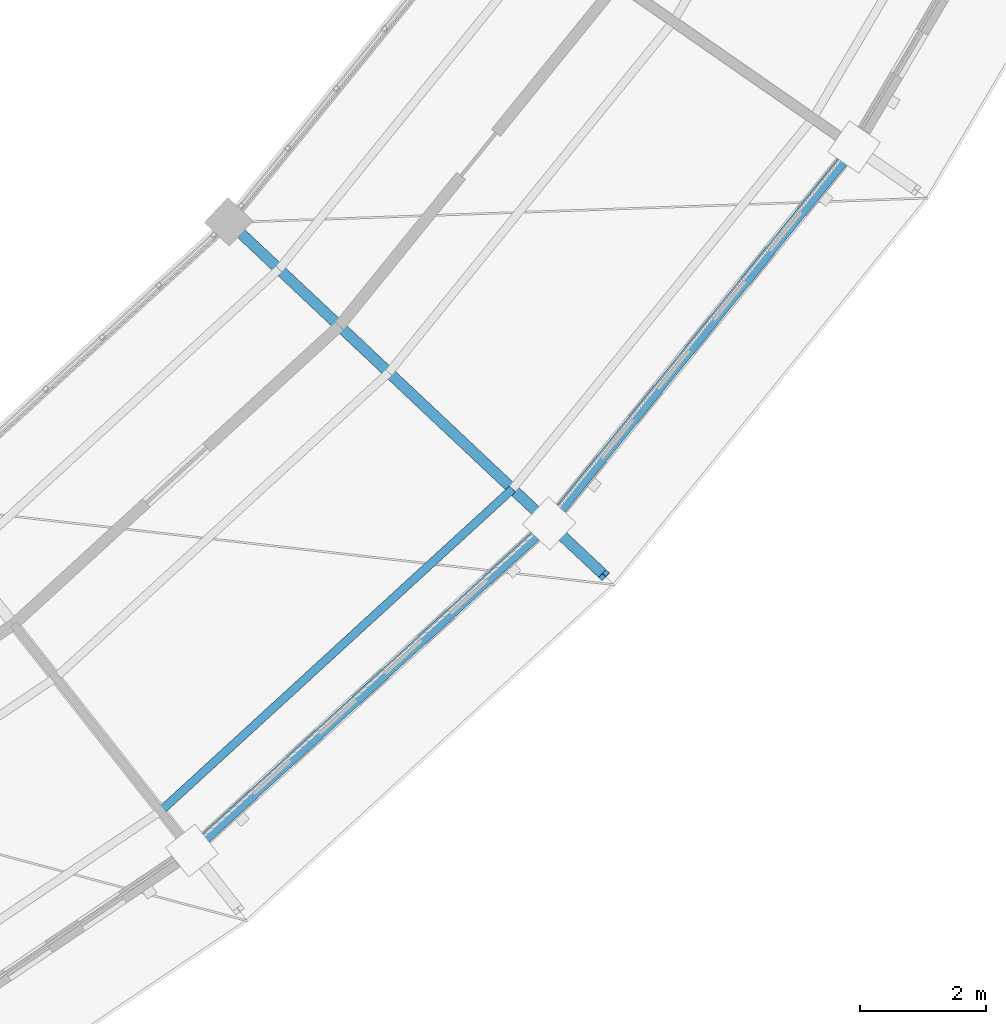
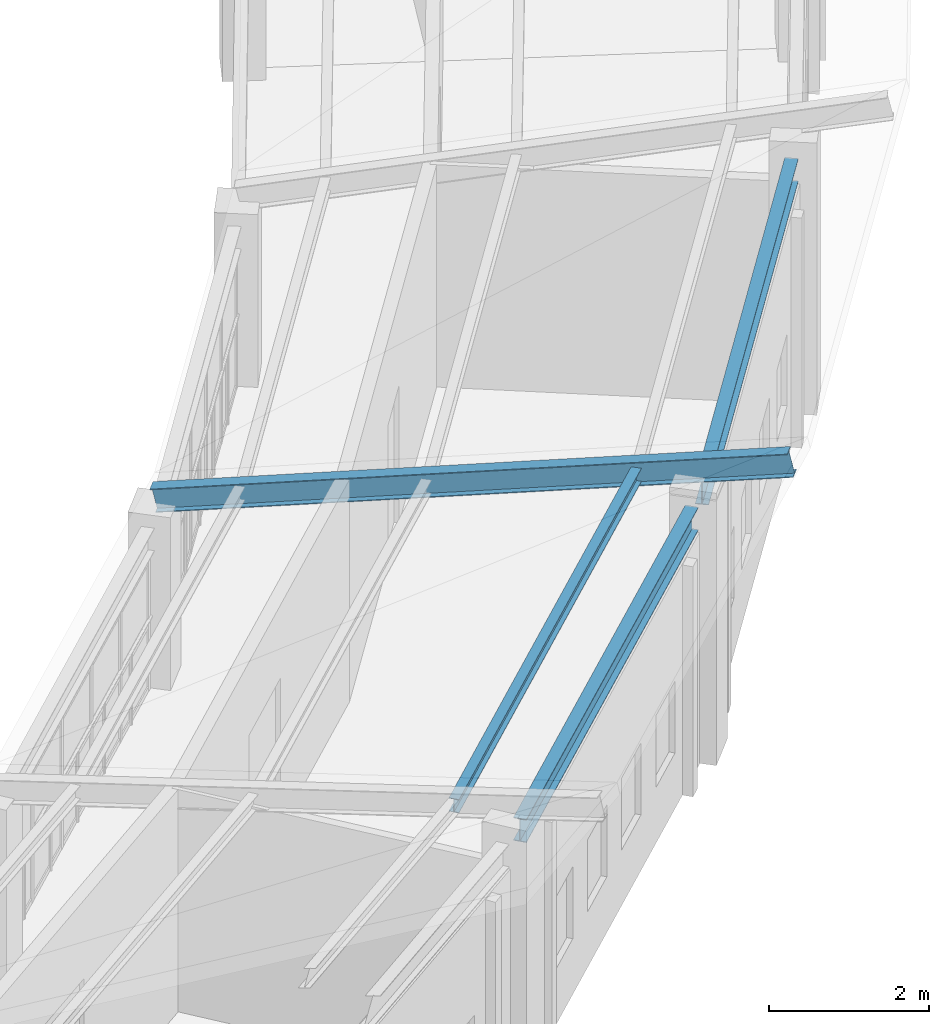
# One storey, part 50 of 149: 2 beams, 2 members.
"""IFC4 building model written with IfcOpenShell, lengths in metres."""

from ifc_helpers import new_model, si_unit, direction, frame, origin, origin_2d, place, context, subcontext, project, spatial, i_section, extrude, material, material_profile, profile_set, type_object, element, save


model = new_model("IFC4")

# Units and contexts
model_context = context("Model", 3, precision=1e-05, world=origin(), true_north=direction((0.0, 1.0)))
body_context = subcontext(model_context, "Body", "Model", "MODEL_VIEW")
ifc_project = project(units=[si_unit("LENGTHUNIT", "METRE"), si_unit("AREAUNIT", "SQUARE_METRE"), si_unit("VOLUMEUNIT", "CUBIC_METRE"), si_unit("PLANEANGLEUNIT", "RADIAN"), si_unit("MASSUNIT", "GRAM", prefix="KILO")], contexts=[model_context])

# Site, building, storey
site_placement = place(None, origin())
site = spatial("IfcSite", under=ifc_project, at=site_placement, CompositionType="ELEMENT")
building_placement = place(site_placement, origin())
building = spatial("IfcBuilding", under=site, at=building_placement, Name="Celadon Cloister-Ring School", CompositionType="ELEMENT")
storey_placement = place(building_placement, frame((0.0, 0.0, 12.5)))
storey = spatial("IfcBuildingStorey", under=building, at=storey_placement, Name="L03", CompositionType="ELEMENT", Elevation=12.5)

# Members
ifc_material_1 = material(Name="Structural steel S355JR", Category="steel")
ifc_material_profile_1 = material_profile(ifc_material_1, i_section(OverallWidth=0.133056640625, OverallDepth=0.20703125, WebThickness=0.005859375, FlangeThickness=0.00830078125, at=origin_2d()), Name="W200X27")
ifc_profile_set_1 = profile_set([ifc_material_profile_1], Name="Structural steel S355JR")
member_type_1 = type_object("IfcMemberType", Name="MP-04", PredefinedType="PURLIN", material=ifc_profile_set_1)
member_1_placement = place(storey_placement, frame((118.68505859375, 18.781982421875, 4.073974609375), z_axis=(0.737532147049, 0.67531202571, 0.0), x_axis=(-0.67531202571, 0.737532147049, 0.0)))
element("IfcMember", 1, at=member_1_placement, inside=storey, type_object=member_type_1, Name="Structural Member 0192", PredefinedType="PURLIN", context=body_context, shape_type="SweptSolid", body=[
    extrude(i_section(OverallWidth=0.133056640625, OverallDepth=0.20703125, WebThickness=0.005859375, FlangeThickness=0.00830078125, at=origin_2d()), origin(), (0.0, 0.0, 1.0), 7.584716796875),
])
ifc_material_2 = material(Name="Structural steel S355JR", Category="steel")
ifc_material_profile_2 = material_profile(ifc_material_2, i_section(OverallWidth=0.1708984375, OverallDepth=0.35498046875, WebThickness=0.007080078125, FlangeThickness=0.01171875, at=origin_2d()), Name="W360X51")
ifc_profile_set_2 = profile_set([ifc_material_profile_2], Name="Structural steel S355JR")
member_type_2 = type_object("IfcMemberType", Name="MR-05", PredefinedType="RAFTER", material=ifc_profile_set_2)
member_2_placement = place(storey_placement, frame((119.764892578125, 28.154052734375, 2.72607421875), z_axis=(0.710130671482, -0.668604260252, 0.220641729039), x_axis=(0.685498421065, 0.728074113478, 0.0)))
element("IfcMember", 2, at=member_2_placement, inside=storey, type_object=member_type_2, Name="Structural Member 0048", PredefinedType="RAFTER", context=body_context, shape_type="SweptSolid", body=[
    extrude(i_section(OverallWidth=0.1708984375, OverallDepth=0.35498046875, WebThickness=0.007080078125, FlangeThickness=0.01171875, at=origin_2d()), origin(), (0.0, 0.0, 1.0), 8.4072265625),
])

# Beams
ifc_material_3 = material(Name="Structural steel S355JR", Category="steel")
ifc_material_profile_3 = material_profile(ifc_material_3, i_section(OverallWidth=0.1708984375, OverallDepth=0.35498046875, WebThickness=0.007080078125, FlangeThickness=0.01171875, at=origin_2d()), Name="W360X51")
ifc_profile_set_3 = profile_set([ifc_material_profile_3], Name="Structural steel S355JR")
beam_type = type_object("IfcBeamType", Name="SP-04", PredefinedType="SPANDREL", material=ifc_profile_set_3)
beam_1_placement = place(storey_placement, frame((119.383056640625, 18.339111328125, 3.722900390625), z_axis=(0.737530862868, 0.675313428208, 0.0), x_axis=(-0.675313428208, 0.737530862868, 0.0)))
element("IfcBeam", 3, at=beam_1_placement, inside=storey, type_object=beam_type, Name="Beam 0565", PredefinedType="SPANDREL", context=body_context, shape_type="SweptSolid", body=[
    extrude(i_section(OverallWidth=0.1708984375, OverallDepth=0.35498046875, WebThickness=0.007080078125, FlangeThickness=0.01171875, at=origin_2d()), origin(), (0.0, 0.0, 1.0), 7.1533203125),
])
beam_2_placement = place(storey_placement, frame((125.034912109375, 23.570068359375, 3.722900390625), z_axis=(0.629681176421, 0.776853664509, 0.0), x_axis=(-0.776853664509, 0.629681176421, 0.0)))
element("IfcBeam", 4, at=beam_2_placement, inside=storey, type_object=beam_type, Name="Beam 0567", PredefinedType="SPANDREL", context=body_context, shape_type="SweptSolid", body=[
    extrude(i_section(OverallWidth=0.1708984375, OverallDepth=0.35498046875, WebThickness=0.007080078125, FlangeThickness=0.01171875, at=origin_2d()), origin(), (0.0, 0.0, 1.0), 7.153076171875),
])

save(model, "model.ifc")
